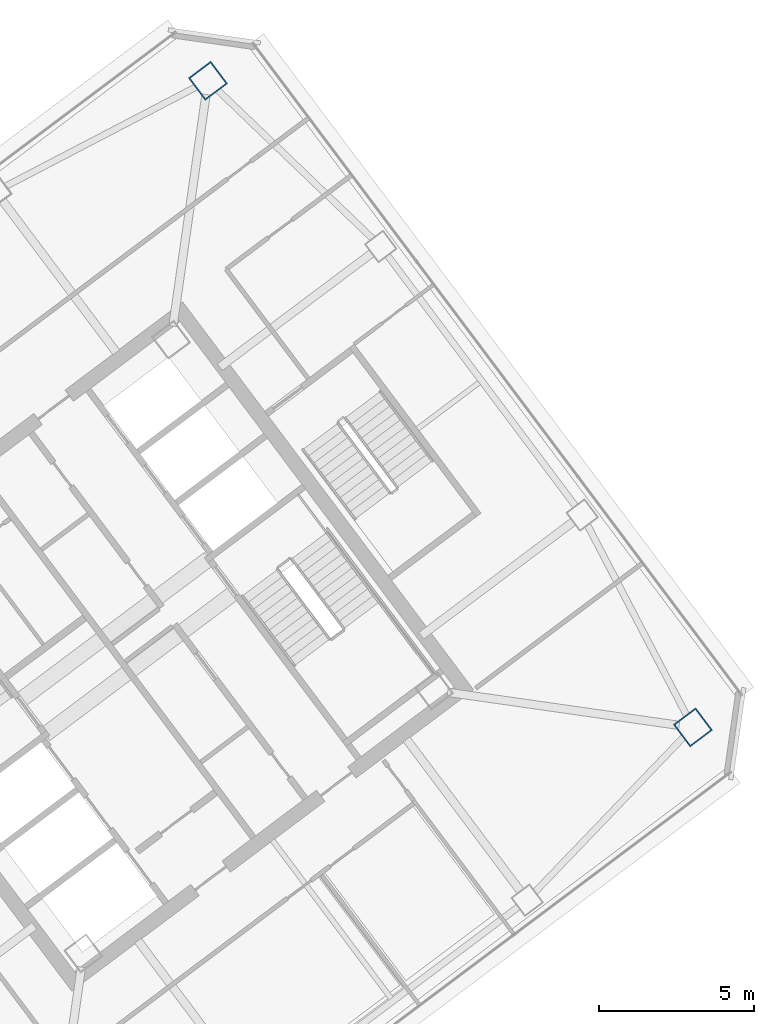
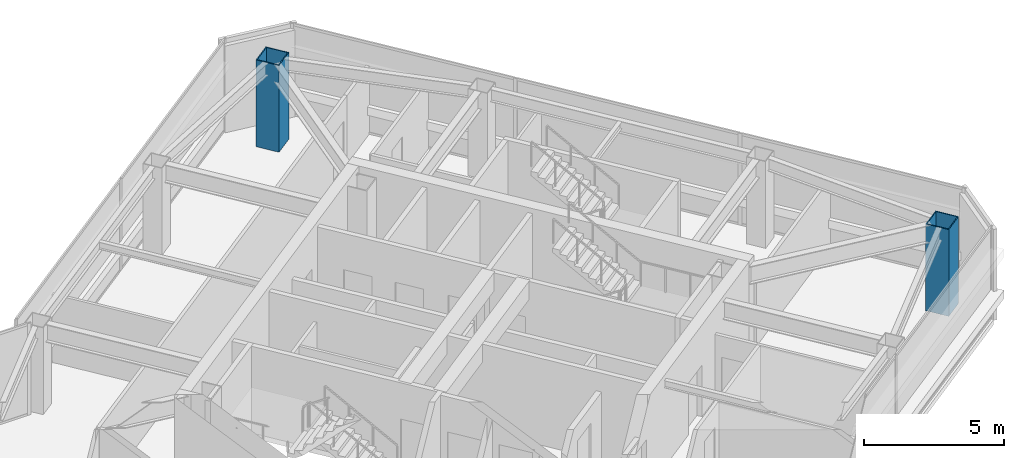
# One storey, part 2 of 53: 2 columns.
"""IFC4 building model written with IfcOpenShell, lengths in metres."""

from ifc_helpers import new_model, si_unit, direction, frame, origin, origin_2d, place, context, subcontext, project, spatial, hollow_rectangle, extrude, material, material_profile, profile_set, type_object, element, save


model = new_model("IFC4")

# Units and contexts
model_context = context("Model", 3, precision=1e-05, world=origin(), true_north=direction((0.0, 1.0)))
body_context = subcontext(model_context, "Body", "Model", "MODEL_VIEW")
ifc_project = project(units=[si_unit("LENGTHUNIT", "METRE"), si_unit("AREAUNIT", "SQUARE_METRE"), si_unit("VOLUMEUNIT", "CUBIC_METRE"), si_unit("PLANEANGLEUNIT", "RADIAN"), si_unit("MASSUNIT", "GRAM", prefix="KILO")], contexts=[model_context])

# Site, building, storey
site_placement = place(None, origin())
site = spatial("IfcSite", under=ifc_project, at=site_placement, CompositionType="ELEMENT")
building_placement = place(site_placement, origin())
building = spatial("IfcBuilding", under=site, at=building_placement, Name="Tashvorn Skyway Center", CompositionType="ELEMENT")
storey_placement = place(building_placement, frame((0.0, 0.0, 255.39990234375)))
storey = spatial("IfcBuildingStorey", under=building, at=storey_placement, Name="L69", CompositionType="ELEMENT", Elevation=255.39990234375)

# Columns
ifc_material = material(Name="Steel ASTM A572 Grade 50", Category="steel")
ifc_material_profile = material_profile(ifc_material, hollow_rectangle(XDim=0.89990234375, YDim=0.89990234375, WallThickness=0.0400390625, at=origin_2d()), Name="BOX900x900x40")
ifc_profile_set = profile_set([ifc_material_profile], Name="Steel ASTM A572 Grade 50")
column_type = type_object("IfcColumnType", Name="COL-BOX900x900x40", PredefinedType="COLUMN", material=ifc_profile_set)
for number, where, z_axis, x_axis, name in (
    (1, (132.199951171875, 29.39990234375, 0.0), (0.0, 0.0, 1.0), (0.799999996291, 0.600000004945, 0.0), "Tower 2 L69 Mega-Column MC-SE"),
    (2, (116.60009765625, 50.199951171875, 0.0), (0.0, 0.0, 1.0), (0.799999996291, 0.600000004945, 0.0), "Tower 2 L69 Mega-Column MC-NE"),
):
    element("IfcColumn", number, at=place(storey_placement, frame(where, z_axis=z_axis, x_axis=x_axis)), inside=storey, type_object=column_type, Name=name, PredefinedType="COLUMN", context=body_context, shape_type="SweptSolid", body=[
        extrude(hollow_rectangle(XDim=0.89990234375, YDim=0.89990234375, WallThickness=0.0400390625, at=origin_2d()), origin(), (0.0, 0.0, 1.0), 3.780029296875),
    ])

save(model, "model.ifc")
